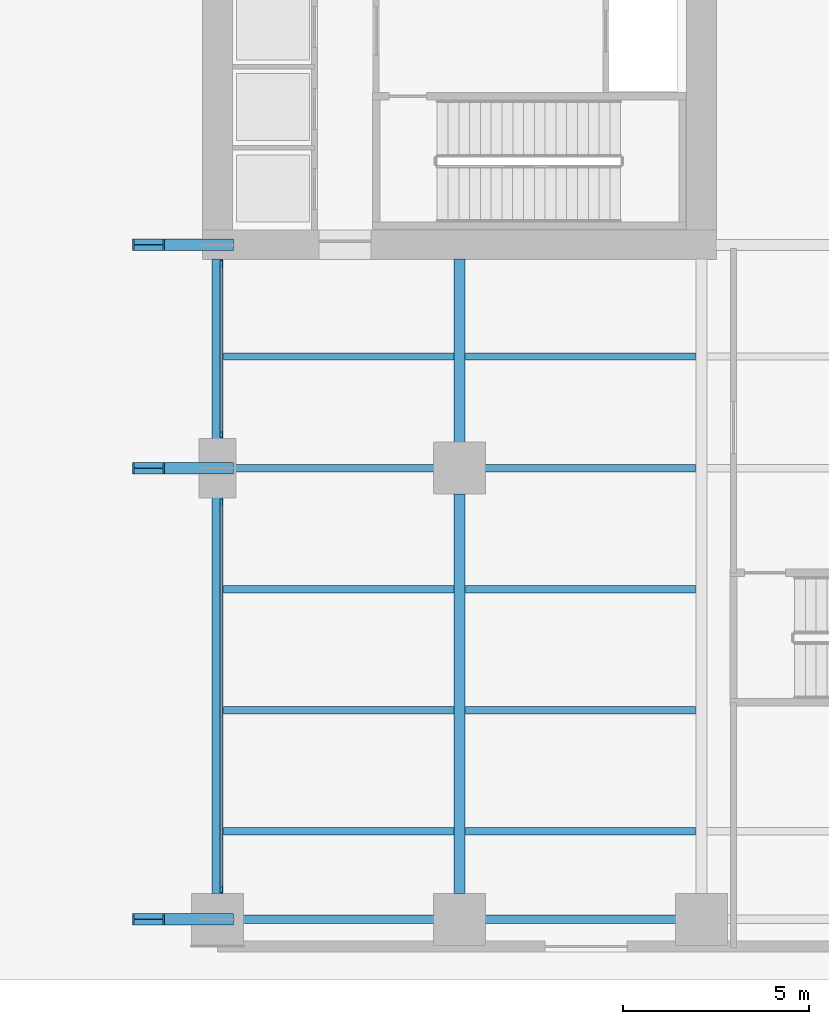
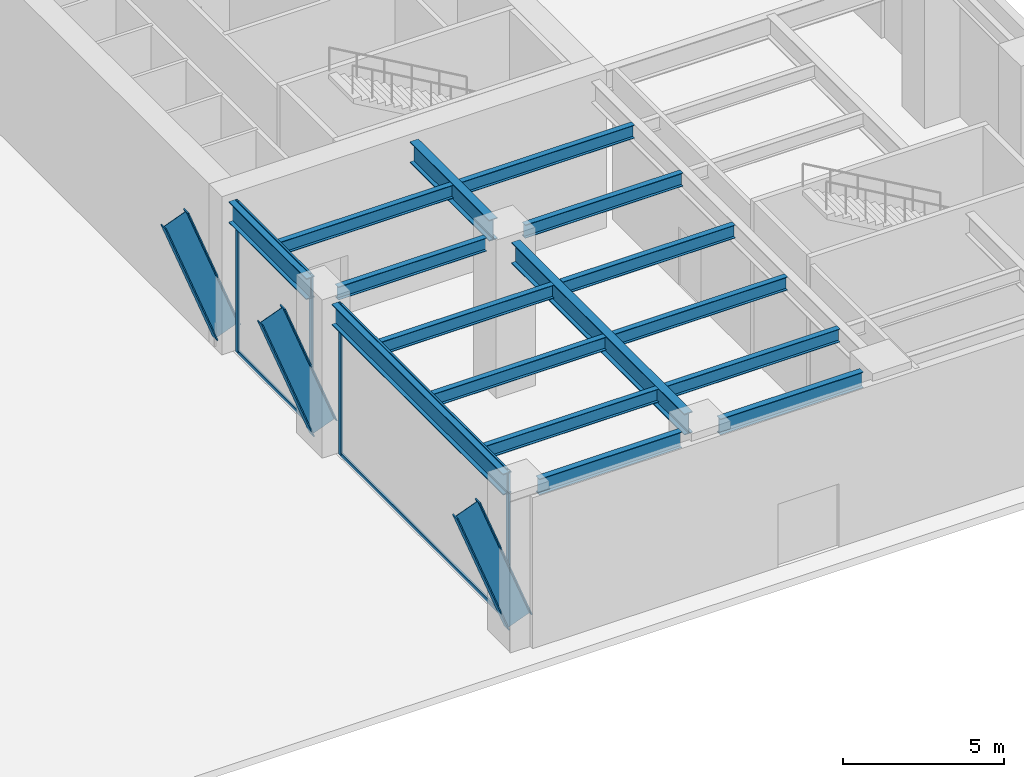
# One storey, part 4 of 20: 16 beams, 11 members, 2 elements without a shape of their own.
"""IFC4 building model written with IfcOpenShell, lengths in metres."""

from ifc_helpers import new_model, si_unit, direction, frame, origin, origin_2d, place, context, subcontext, project, spatial, rectangle, i_section, extrude, material, layer, layer_set, material_profile, profile_set, type_object, element, aggregate, save


model = new_model("IFC4")

# Units and contexts
model_context = context("Model", 3, precision=1e-05, world=origin(), true_north=direction((0.0, 1.0)))
body_context = subcontext(model_context, "Body", "Model", "MODEL_VIEW")
ifc_project = project(units=[si_unit("LENGTHUNIT", "METRE"), si_unit("AREAUNIT", "SQUARE_METRE"), si_unit("VOLUMEUNIT", "CUBIC_METRE"), si_unit("PLANEANGLEUNIT", "RADIAN"), si_unit("MASSUNIT", "GRAM", prefix="KILO")], contexts=[model_context])

# Site, building, storey
site_placement = place(None, origin())
site = spatial("IfcSite", under=ifc_project, at=site_placement, CompositionType="ELEMENT")
building_placement = place(site_placement, origin())
building = spatial("IfcBuilding", under=site, at=building_placement, Name="Putna Gate Headquarters", CompositionType="ELEMENT")
storey_placement = place(building_placement, origin())
storey = spatial("IfcBuildingStorey", under=building, at=storey_placement, Name="L00", CompositionType="ELEMENT", Elevation=0.0)

# Beams
ifc_material_1 = material(Name="Steel S355J2", Category="steel")
ifc_material_profile_1 = material_profile(ifc_material_1, i_section(OverallWidth=0.300048828125, OverallDepth=0.800048828125, WebThickness=0.017578125, FlangeThickness=0.032958984375, at=origin_2d()), Name="Steel S355J2")
ifc_profile_set_1 = profile_set([ifc_material_profile_1], Name="Steel S355J2")
beam_type_1 = type_object("IfcBeamType", Name="BM-GIRD-P-HEB800", PredefinedType="USERDEFINED", material=ifc_profile_set_1)
beam_1_placement = place(storey_placement, frame((52.0, 1.568115234375, 5.320068359375), z_axis=(0.0, 1.0, 0.0), x_axis=(-1.0, 0.0, 0.0)))
element("IfcBeam", 1, at=beam_1_placement, inside=storey, type_object=beam_type_1, Name="L00 South Primary Girder X52-1", ObjectType="GIRDER", PredefinedType="USERDEFINED", context=body_context, shape_type="SweptSolid", body=[
    extrude(i_section(OverallWidth=0.300048828125, OverallDepth=0.800048828125, WebThickness=0.017578125, FlangeThickness=0.032958984375, at=origin_2d()), origin(), (0.0, 0.0, 1.0), 10.643798828125),
])
beam_2_placement = place(storey_placement, frame((52.0, 13.7880859375, 5.320068359375), z_axis=(0.0, 1.0, 0.0), x_axis=(-1.0, 0.0, 0.0)))
element("IfcBeam", 2, at=beam_2_placement, inside=storey, type_object=beam_type_1, Name="L00 South Primary Girder X52-2", ObjectType="GIRDER", PredefinedType="USERDEFINED", context=body_context, shape_type="SweptSolid", body=[
    extrude(i_section(OverallWidth=0.300048828125, OverallDepth=0.800048828125, WebThickness=0.017578125, FlangeThickness=0.032958984375, at=origin_2d()), origin(), (0.0, 0.0, 1.0), 4.826904296875),
])
beam_3_placement = place(storey_placement, frame((58.5, 1.568115234375, 5.320068359375), z_axis=(0.0, 1.0, 0.0), x_axis=(-1.0, 0.0, 0.0)))
element("IfcBeam", 3, at=beam_3_placement, inside=storey, type_object=beam_type_1, Name="L00 South Primary Girder X58-1", ObjectType="GIRDER", PredefinedType="USERDEFINED", context=body_context, shape_type="SweptSolid", body=[
    extrude(i_section(OverallWidth=0.300048828125, OverallDepth=0.800048828125, WebThickness=0.017578125, FlangeThickness=0.032958984375, at=origin_2d()), origin(), (0.0, 0.0, 1.0), 10.743896484375),
])
beam_4_placement = place(storey_placement, frame((58.5, 13.68798828125, 5.320068359375), z_axis=(0.0, 1.0, 0.0), x_axis=(-1.0, 0.0, 0.0)))
element("IfcBeam", 4, at=beam_4_placement, inside=storey, type_object=beam_type_1, Name="L00 South Primary Girder X58-2", ObjectType="GIRDER", PredefinedType="USERDEFINED", context=body_context, shape_type="SweptSolid", body=[
    extrude(i_section(OverallWidth=0.300048828125, OverallDepth=0.800048828125, WebThickness=0.017578125, FlangeThickness=0.032958984375, at=origin_2d()), origin(), (0.0, 0.0, 1.0), 4.927001953125),
])
ifc_material_profile_2 = material_profile(ifc_material_1, i_section(OverallWidth=0.199951171875, OverallDepth=0.5, WebThickness=0.01025390625, FlangeThickness=0.01611328125, at=origin_2d()), Name="Steel S355J2")
ifc_profile_set_2 = profile_set([ifc_material_profile_2], Name="Steel S355J2")
beam_type_2 = type_object("IfcBeamType", Name="BM-SEC-P-IPE500", PredefinedType="BEAM", material=ifc_profile_set_2)
for number, where, z_axis, x_axis, name in (
    (5, (52.154052734375, 3.25, 5.469970703125), (1.0, 0.0, 0.0), (0.0, 1.0, 0.0), "L00 South Secondary Beam 5"),
    (6, (52.154052734375, 6.5, 5.469970703125), (1.0, 0.0, 0.0), (0.0, 1.0, 0.0), "L00 South Secondary Beam 5"),
    (7, (52.154052734375, 9.75, 5.469970703125), (1.0, 0.0, 0.0), (0.0, 1.0, 0.0), "L00 South Secondary Beam 5"),
):
    element("IfcBeam", number, at=place(storey_placement, frame(where, z_axis=z_axis, x_axis=x_axis)), inside=storey, type_object=beam_type_2, Name=name, PredefinedType="BEAM", context=body_context, shape_type="SweptSolid", body=[
        extrude(i_section(OverallWidth=0.199951171875, OverallDepth=0.5, WebThickness=0.01025390625, FlangeThickness=0.01611328125, at=origin_2d()), origin(), (0.0, 0.0, 1.0), 6.19189453125),
    ])
beam_5_placement = place(storey_placement, frame((52.488037109375, 13.0, 5.469970703125), z_axis=(1.0, 0.0, 0.0), x_axis=(0.0, 1.0, 0.0)))
element("IfcBeam", 8, at=beam_5_placement, inside=storey, type_object=beam_type_2, Name="L00 South Secondary Beam 5", PredefinedType="BEAM", context=body_context, shape_type="SweptSolid", body=[
    extrude(i_section(OverallWidth=0.199951171875, OverallDepth=0.5, WebThickness=0.01025390625, FlangeThickness=0.01611328125, at=origin_2d()), origin(), (0.0, 0.0, 1.0), 5.323974609375),
])
for number, where, z_axis, x_axis, name in (
    (9, (52.154052734375, 16.0, 5.469970703125), (1.0, 0.0, 0.0), (0.0, 1.0, 0.0), "L00 South Secondary Beam 5"),
    (10, (58.654052734375, 3.25, 5.469970703125), (1.0, 0.0, 0.0), (0.0, 1.0, 0.0), "L00 South Secondary Beam 6"),
    (11, (58.654052734375, 6.5, 5.469970703125), (1.0, 0.0, 0.0), (0.0, 1.0, 0.0), "L00 South Secondary Beam 6"),
    (12, (58.654052734375, 9.75, 5.469970703125), (1.0, 0.0, 0.0), (0.0, 1.0, 0.0), "L00 South Secondary Beam 6"),
):
    element("IfcBeam", number, at=place(storey_placement, frame(where, z_axis=z_axis, x_axis=x_axis)), inside=storey, type_object=beam_type_2, Name=name, PredefinedType="BEAM", context=body_context, shape_type="SweptSolid", body=[
        extrude(i_section(OverallWidth=0.199951171875, OverallDepth=0.5, WebThickness=0.01025390625, FlangeThickness=0.01611328125, at=origin_2d()), origin(), (0.0, 0.0, 1.0), 6.19189453125),
    ])
beam_6_placement = place(storey_placement, frame((59.18798828125, 13.0, 5.469970703125), z_axis=(1.0, 0.0, 0.0), x_axis=(0.0, 1.0, 0.0)))
element("IfcBeam", 13, at=beam_6_placement, inside=storey, type_object=beam_type_2, Name="L00 South Secondary Beam 6", PredefinedType="BEAM", context=body_context, shape_type="SweptSolid", body=[
    extrude(i_section(OverallWidth=0.199951171875, OverallDepth=0.5, WebThickness=0.01025390625, FlangeThickness=0.01611328125, at=origin_2d()), origin(), (0.0, 0.0, 1.0), 5.657958984375),
])
beam_7_placement = place(storey_placement, frame((58.654052734375, 16.0, 5.469970703125), z_axis=(1.0, 0.0, 0.0), x_axis=(0.0, 1.0, 0.0)))
element("IfcBeam", 14, at=beam_7_placement, inside=storey, type_object=beam_type_2, Name="L00 South Secondary Beam 6", PredefinedType="BEAM", context=body_context, shape_type="SweptSolid", body=[
    extrude(i_section(OverallWidth=0.199951171875, OverallDepth=0.5, WebThickness=0.01025390625, FlangeThickness=0.01611328125, at=origin_2d()), origin(), (0.0, 0.0, 1.0), 6.19189453125),
])
ifc_material_profile_3 = material_profile(ifc_material_1, i_section(OverallWidth=0.219970703125, OverallDepth=0.60009765625, WebThickness=0.011962890625, FlangeThickness=0.01904296875, at=origin_2d()), Name="Steel S355J2")
ifc_profile_set_3 = profile_set([ifc_material_profile_3], Name="Steel S355J2")
beam_type_3 = type_object("IfcBeamType", Name="BM-SPAN-P-IPE600", PredefinedType="SPANDREL", material=ifc_profile_set_3)
for number, where, z_axis, x_axis, name in (
    (15, (52.68798828125, 0.8798828125, 5.419921875), (1.0, 0.0, 0.0), (0.0, 1.0, 0.0), "L00 S Perimeter Spandrel 5"),
    (16, (59.18798828125, 0.8798828125, 5.419921875), (1.0, 0.0, 0.0), (0.0, 1.0, 0.0), "L00 S Perimeter Spandrel 6"),
):
    element("IfcBeam", number, at=place(storey_placement, frame(where, z_axis=z_axis, x_axis=x_axis)), inside=storey, type_object=beam_type_3, Name=name, PredefinedType="SPANDREL", context=body_context, shape_type="SweptSolid", body=[
        extrude(i_section(OverallWidth=0.219970703125, OverallDepth=0.60009765625, WebThickness=0.011962890625, FlangeThickness=0.01904296875, at=origin_2d()), origin(), (0.0, 0.0, 1.0), 5.1240234375),
    ])

# Members
ifc_material_2 = material(Name="Steel S460M", Category="steel")
ifc_material_profile_4 = material_profile(ifc_material_2, i_section(OverallWidth=0.302001953125, OverallDepth=0.909912109375, WebThickness=0.02099609375, FlangeThickness=0.0400390625, at=origin_2d()), Name="Steel S460M")
ifc_profile_set_4 = profile_set([ifc_material_profile_4], Name="Steel S460M")
member_type_1 = type_object("IfcMemberType", Name="MEM-ARCH-CHORD-HEM900", PredefinedType="STRUT", material=ifc_profile_set_4)
member_1_placement = place(storey_placement, frame((50.142822265625, 0.8798828125, 5.431640625), z_axis=(0.355581261546, 0.0, -0.934645369345), x_axis=(0.0, 1.0, 0.0)))
element("IfcMember", 17, at=member_1_placement, inside=storey, type_object=member_type_1, Name="Giant Parabolic Arch Chord S-14", PredefinedType="STRUT", context=body_context, shape_type="SweptSolid", body=[
    extrude(i_section(OverallWidth=0.302001953125, OverallDepth=0.909912109375, WebThickness=0.02099609375, FlangeThickness=0.0400390625, at=origin_2d()), origin(), (0.0, 0.0, 1.0), 5.222900390625),
])
ifc_material_profile_5 = material_profile(ifc_material_2, i_section(OverallWidth=0.302001953125, OverallDepth=0.909912109375, WebThickness=0.02099609375, FlangeThickness=0.0400390625, at=origin_2d()), Name="Steel S460M")
ifc_profile_set_5 = profile_set([ifc_material_profile_5], Name="Steel S460M")
member_type_2 = type_object("IfcMemberType", Name="MEM-ARCH-CHORD-INT-HEM900", PredefinedType="STRUT", material=ifc_profile_set_5)
for number, where, z_axis, x_axis, name in (
    (18, (50.142822265625, 13.0, 5.431640625), (0.355581261546, 0.0, -0.934645369345), (0.0, 1.0, 0.0), "Giant Parabolic Arch Chord CS-14"),
    (19, (50.142822265625, 19.0, 5.431640625), (0.355581261546, 0.0, -0.934645369345), (0.0, 1.0, 0.0), "Giant Parabolic Arch Chord AS-14"),
):
    element("IfcMember", number, at=place(storey_placement, frame(where, z_axis=z_axis, x_axis=x_axis)), inside=storey, type_object=member_type_2, Name=name, PredefinedType="STRUT", context=body_context, shape_type="SweptSolid", body=[
        extrude(i_section(OverallWidth=0.302001953125, OverallDepth=0.909912109375, WebThickness=0.02099609375, FlangeThickness=0.0400390625, at=origin_2d()), origin(), (0.0, 0.0, 1.0), 5.222900390625),
    ])

# Curtain wall, members
ifc_material_3 = material(Name="Anodised bronze aluminium curtain wall", Category="aluminium")
ifc_layer = layer(ifc_material_3, 0.179931640625)
ifc_layer_set = layer_set([ifc_layer], Name="Anodised bronze aluminium curtain wall")
curtain_wall_type = type_object("IfcCurtainWallType", Name="CW-SYS-ATR", PredefinedType="USERDEFINED", material=ifc_layer_set)
curtain_wall_1_placement = place(storey_placement, origin())
curtain_wall_1 = element("IfcCurtainWall", 20, at=curtain_wall_1_placement, inside=storey, type_object=curtain_wall_type, Name="L00 Giant Arch East Lobby Glazing S", ObjectType="ATRIUM GLAZING", PredefinedType="USERDEFINED")
ifc_material_4 = material(Name="Anodised bronze aluminium EN AW-6060", Category="aluminium")
ifc_material_profile_6 = material_profile(ifc_material_4, rectangle(XDim=0.070068359375, YDim=0.179931640625, at=origin_2d()), Name="Anodised bronze aluminium EN AW-6060")
ifc_profile_set_6 = profile_set([ifc_material_profile_6], Name="Anodised bronze aluminium EN AW-6060")
member_type_3 = type_object("IfcMemberType", Name="MULL-CWM-AT", PredefinedType="MULLION", material=ifc_profile_set_6)
member_2_placement = place(storey_placement, frame((52.10009765625, 1.68505859375, 0.0), z_axis=(0.0, 0.0, 1.0), x_axis=(-1.0, 0.0, 0.0)))
member_2 = element("IfcMember", 21, at=member_2_placement, type_object=member_type_3, Name="CWS-AT mullion 1", PredefinedType="MULLION", context=body_context, shape_type="SweptSolid", body=[
    extrude(rectangle(XDim=0.070068359375, YDim=0.179931640625, at=origin_2d()), origin(), (0.0, 0.0, 1.0), 5.719970703125),
])
member_3_placement = place(storey_placement, frame((52.10009765625, 12.0849609375, 0.0), z_axis=(0.0, 0.0, 1.0), x_axis=(-1.0, 0.0, 0.0)))
member_3 = element("IfcMember", 22, at=member_3_placement, type_object=member_type_3, Name="CWS-AT mullion 2", PredefinedType="MULLION", context=body_context, shape_type="SweptSolid", body=[
    extrude(rectangle(XDim=0.070068359375, YDim=0.179931640625, at=origin_2d()), origin(), (0.0, 0.0, 1.0), 5.719970703125),
])

curtain_wall_2_placement = place(storey_placement, origin())
curtain_wall_2 = element("IfcCurtainWall", 23, at=curtain_wall_2_placement, inside=storey, type_object=curtain_wall_type, Name="L00 Giant Arch East Lobby Glazing N", ObjectType="ATRIUM GLAZING", PredefinedType="USERDEFINED")
member_4_placement = place(storey_placement, frame((52.10009765625, 13.9150390625, 0.0), z_axis=(0.0, 0.0, 1.0), x_axis=(-1.0, 0.0, 0.0)))
member_4 = element("IfcMember", 24, at=member_4_placement, type_object=member_type_3, Name="CWS-AT mullion 1", PredefinedType="MULLION", context=body_context, shape_type="SweptSolid", body=[
    extrude(rectangle(XDim=0.070068359375, YDim=0.179931640625, at=origin_2d()), origin(), (0.0, 0.0, 1.0), 5.719970703125),
])
member_5_placement = place(storey_placement, frame((52.10009765625, 18.485107421875, 0.0), z_axis=(0.0, 0.0, 1.0), x_axis=(-1.0, 0.0, 0.0)))
member_5 = element("IfcMember", 25, at=member_5_placement, type_object=member_type_3, Name="CWS-AT mullion 2", PredefinedType="MULLION", context=body_context, shape_type="SweptSolid", body=[
    extrude(rectangle(XDim=0.070068359375, YDim=0.179931640625, at=origin_2d()), origin(), (0.0, 0.0, 1.0), 5.719970703125),
])

# Member
ifc_material_profile_7 = material_profile(ifc_material_4, rectangle(XDim=0.070068359375, YDim=0.139892578125, at=origin_2d()), Name="Anodised bronze aluminium EN AW-6060")
ifc_profile_set_7 = profile_set([ifc_material_profile_7], Name="Anodised bronze aluminium EN AW-6060")
member_type_4 = type_object("IfcMemberType", Name="TRAN-CWT-AT", PredefinedType="USERDEFINED", material=ifc_profile_set_7)
member_6_placement = place(storey_placement, frame((52.10009765625, 1.719970703125, 0.034912109375), z_axis=(0.0, 1.0, 0.0), x_axis=(-1.0, 0.0, 0.0)))
member_6 = element("IfcMember", 26, at=member_6_placement, type_object=member_type_4, Name="CWS-AT transom 1.1", ObjectType="TRANSOM", PredefinedType="USERDEFINED", context=body_context, shape_type="SweptSolid", body=[
    extrude(rectangle(XDim=0.070068359375, YDim=0.139892578125, at=origin_2d()), origin(), (0.0, 0.0, 1.0), 10.330078125),
])

member_7_placement = place(storey_placement, frame((52.10009765625, 1.719970703125, 5.68505859375), z_axis=(0.0, 1.0, 0.0), x_axis=(-1.0, 0.0, 0.0)))
member_7 = element("IfcMember", 27, at=member_7_placement, type_object=member_type_4, Name="CWS-AT transom 1.2", ObjectType="TRANSOM", PredefinedType="USERDEFINED", context=body_context, shape_type="SweptSolid", body=[
    extrude(rectangle(XDim=0.070068359375, YDim=0.139892578125, at=origin_2d()), origin(), (0.0, 0.0, 1.0), 10.330078125),
])

aggregate(curtain_wall_1, [member_2, member_3, member_6, member_7])

member_8_placement = place(storey_placement, frame((52.10009765625, 13.949951171875, 0.034912109375), z_axis=(0.0, 1.0, 0.0), x_axis=(-1.0, 0.0, 0.0)))
member_8 = element("IfcMember", 28, at=member_8_placement, type_object=member_type_4, Name="CWS-AT transom 1.1", ObjectType="TRANSOM", PredefinedType="USERDEFINED", context=body_context, shape_type="SweptSolid", body=[
    extrude(rectangle(XDim=0.070068359375, YDim=0.139892578125, at=origin_2d()), origin(), (0.0, 0.0, 1.0), 4.5),
])

member_9_placement = place(storey_placement, frame((52.10009765625, 13.949951171875, 5.68505859375), z_axis=(0.0, 1.0, 0.0), x_axis=(-1.0, 0.0, 0.0)))
member_9 = element("IfcMember", 29, at=member_9_placement, type_object=member_type_4, Name="CWS-AT transom 1.2", ObjectType="TRANSOM", PredefinedType="USERDEFINED", context=body_context, shape_type="SweptSolid", body=[
    extrude(rectangle(XDim=0.070068359375, YDim=0.139892578125, at=origin_2d()), origin(), (0.0, 0.0, 1.0), 4.5),
])

aggregate(curtain_wall_2, [member_4, member_5, member_8, member_9])

save(model, "model.ifc")
